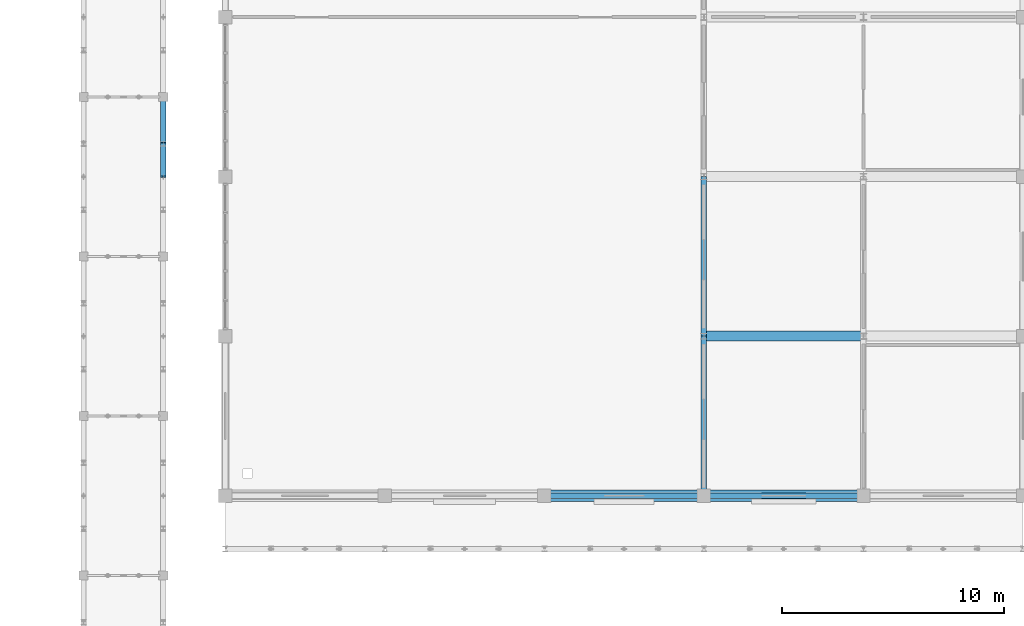
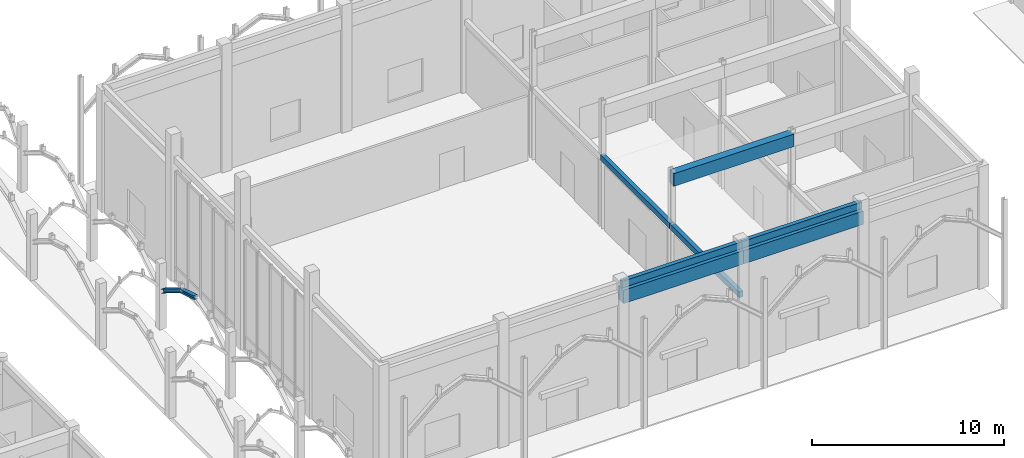
# One storey, part 24 of 138: 7 beams, 2 members.
"""IFC4 building model written with IfcOpenShell, lengths in metres."""

from ifc_helpers import new_model, si_unit, direction, frame, origin, origin_2d, place, context, subcontext, project, spatial, rectangle, i_section, extrude, material, material_profile, profile_set, type_object, element, save


model = new_model("IFC4")

# Units and contexts
model_context = context("Model", 3, precision=1e-05, world=origin(), true_north=direction((0.0, 1.0)))
body_context = subcontext(model_context, "Body", "Model", "MODEL_VIEW")
ifc_project = project(units=[si_unit("LENGTHUNIT", "METRE"), si_unit("AREAUNIT", "SQUARE_METRE"), si_unit("VOLUMEUNIT", "CUBIC_METRE"), si_unit("PLANEANGLEUNIT", "RADIAN"), si_unit("MASSUNIT", "GRAM", prefix="KILO"), si_unit("THERMODYNAMICTEMPERATUREUNIT", "KELVIN"), si_unit("POWERUNIT", "WATT")], contexts=[model_context])

# Site, building, storey
site_placement = place(None, origin())
site = spatial("IfcSite", under=ifc_project, at=site_placement, CompositionType="ELEMENT")
building_placement = place(site_placement, origin())
building = spatial("IfcBuilding", under=site, at=building_placement, Name="Tavuni Mirador Residences", CompositionType="ELEMENT")
storey_placement = place(building_placement, origin())
storey = spatial("IfcBuildingStorey", under=building, at=storey_placement, Name="L00", CompositionType="ELEMENT", Elevation=0.0)

# Beams
ifc_material_1 = material(Name="Precast concrete C40/50", Category="concrete")
ifc_material_profile_1 = material_profile(ifc_material_1, rectangle(XDim=0.449951171875, YDim=0.800048828125, at=origin_2d()), Name="RC 450x800", Category="concrete")
ifc_profile_set_1 = profile_set([ifc_material_profile_1], Name="Precast concrete C40/50")
beam_type_1 = type_object("IfcBeamType", Name="BT-G800", PredefinedType="USERDEFINED", material=ifc_profile_set_1)
beam_placement = place(storey_placement, frame((61.199951171875, 79.199951171875, 7.469970703125), z_axis=(1.0, 0.0, 0.0), x_axis=(0.0, 1.0, 0.0)))
element("IfcBeam", 1, at=beam_placement, inside=storey, type_object=beam_type_1, Name="BMX-PAV-HALL-L00-03-01", ObjectType="GIRDER", PredefinedType="USERDEFINED", context=body_context, shape_type="SweptSolid", body=[
    extrude(rectangle(XDim=0.449951171875, YDim=0.800048828125, at=origin_2d()), origin(), (0.0, 0.0, 1.0), 7.199951171875),
])
ifc_material_profile_2 = material_profile(ifc_material_1, rectangle(XDim=0.5, YDim=0.85009765625, at=origin_2d()), Name="RC 500x850", Category="concrete")
ifc_profile_set_2 = profile_set([ifc_material_profile_2], Name="Precast concrete C40/50")
beam_type_2 = type_object("IfcBeamType", Name="BT-G850", PredefinedType="USERDEFINED", material=ifc_profile_set_2)
for number, where, z_axis, x_axis, name in (
    (2, (54.0, 72.0, 6.949951171875), (1.0, 0.0, 0.0), (0.0, 1.0, 0.0), "HALL-RING-S-03"),
    (3, (61.199951171875, 72.0, 6.949951171875), (1.0, 0.0, 0.0), (0.0, 1.0, 0.0), "HALL-RING-S-04"),
):
    element("IfcBeam", number, at=place(storey_placement, frame(where, z_axis=z_axis, x_axis=x_axis)), inside=storey, type_object=beam_type_2, Name=name, ObjectType="GIRDER", PredefinedType="USERDEFINED", context=body_context, shape_type="SweptSolid", body=[
        extrude(rectangle(XDim=0.5, YDim=0.85009765625, at=origin_2d()), origin(), (0.0, 0.0, 1.0), 7.199951171875),
    ])
ifc_material_profile_3 = material_profile(ifc_material_1, rectangle(XDim=0.25, YDim=0.35009765625, at=origin_2d()), Name="PC 250x350", Category="concrete")
ifc_profile_set_3 = profile_set([ifc_material_profile_3], Name="Precast concrete C40/50")
beam_type_3 = type_object("IfcBeamType", Name="BT-LN350", PredefinedType="LINTEL", material=ifc_profile_set_3)
for number, where, z_axis, x_axis, name in (
    (4, (61.199951171875, 72.0, 4.449951171875), (0.0, 1.0, 0.0), (-1.0, 0.0, 0.0), "LNT-HALL-F-01"),
    (5, (61.199951171875, 79.199951171875, 4.449951171875), (0.0, 1.0, 0.0), (-1.0, 0.0, 0.0), "LNT-HALL-F-02"),
):
    element("IfcBeam", number, at=place(storey_placement, frame(where, z_axis=z_axis, x_axis=x_axis)), inside=storey, type_object=beam_type_3, Name=name, PredefinedType="LINTEL", context=body_context, shape_type="SweptSolid", body=[
        extrude(rectangle(XDim=0.25, YDim=0.35009765625, at=origin_2d()), origin(), (0.0, 0.0, 1.0), 7.199951171875),
    ])
ifc_material_profile_4 = material_profile(ifc_material_1, rectangle(XDim=0.25, YDim=0.419921875, at=origin_2d()), Name="PC 250x420", Category="concrete")
ifc_profile_set_4 = profile_set([ifc_material_profile_4], Name="Precast concrete C40/50")
beam_type_4 = type_object("IfcBeamType", Name="BT-SP420", PredefinedType="SPANDREL", material=ifc_profile_set_4)
for number, where, z_axis, x_axis, name in (
    (6, (54.0, 72.0, 7.659912109375), (1.0, 0.0, 0.0), (0.0, 1.0, 0.0), "BMX-PAV-HALL-L00-02-00"),
    (7, (61.199951171875, 72.0, 7.659912109375), (1.0, 0.0, 0.0), (0.0, 1.0, 0.0), "BMX-PAV-HALL-L00-03-00"),
):
    element("IfcBeam", number, at=place(storey_placement, frame(where, z_axis=z_axis, x_axis=x_axis)), inside=storey, type_object=beam_type_4, Name=name, PredefinedType="SPANDREL", context=body_context, shape_type="SweptSolid", body=[
        extrude(rectangle(XDim=0.25, YDim=0.419921875, at=origin_2d()), origin(), (0.0, 0.0, 1.0), 7.199951171875),
    ])

# Members
ifc_material_2 = material(Name="Structural steel S355", Category="steel")
ifc_material_profile_5 = material_profile(ifc_material_2, i_section(OverallWidth=0.239990234375, OverallDepth=0.22998046875, WebThickness=0.007568359375, FlangeThickness=0.011962890625, FilletRadius=0.02099609375, at=origin_2d()), Name="HEA 240", Category="steel")
ifc_profile_set_5 = profile_set([ifc_material_profile_5], Name="Structural steel S355")
member_type = type_object("IfcMemberType", Name="MT-CH-HEA240", PredefinedType="CHORD", material=ifc_profile_set_5)
member_1_placement = place(storey_placement, frame((36.800048828125, 86.39990234375, 4.080078125), z_axis=(0.0, 0.95621783268, -0.292655866958), x_axis=(-1.0, 0.0, 0.0)))
element("IfcMember", 8, at=member_1_placement, inside=storey, type_object=member_type, Name="ARCH-COLO-E-04-S2", PredefinedType="CHORD", context=body_context, shape_type="SweptSolid", body=[
    extrude(i_section(OverallWidth=0.239990234375, OverallDepth=0.22998046875, WebThickness=0.007568359375, FlangeThickness=0.011962890625, FilletRadius=0.02099609375, at=origin_2d()), origin(), (0.0, 0.0, 1.0), 1.56005859375),
])
member_2_placement = place(storey_placement, frame((36.800048828125, 87.8916015625, 3.62353515625), z_axis=(0.0, 0.850593680007, -0.525823536496), x_axis=(-1.0, 0.0, 0.0)))
element("IfcMember", 9, at=member_2_placement, inside=storey, type_object=member_type, Name="ARCH-COLO-E-04-H2", PredefinedType="CHORD", context=body_context, shape_type="SweptSolid", body=[
    extrude(i_section(OverallWidth=0.239990234375, OverallDepth=0.22998046875, WebThickness=0.007568359375, FlangeThickness=0.011962890625, FilletRadius=0.02099609375, at=origin_2d()), origin(), (0.0, 0.0, 1.0), 2.23193359375),
])

save(model, "model.ifc")
